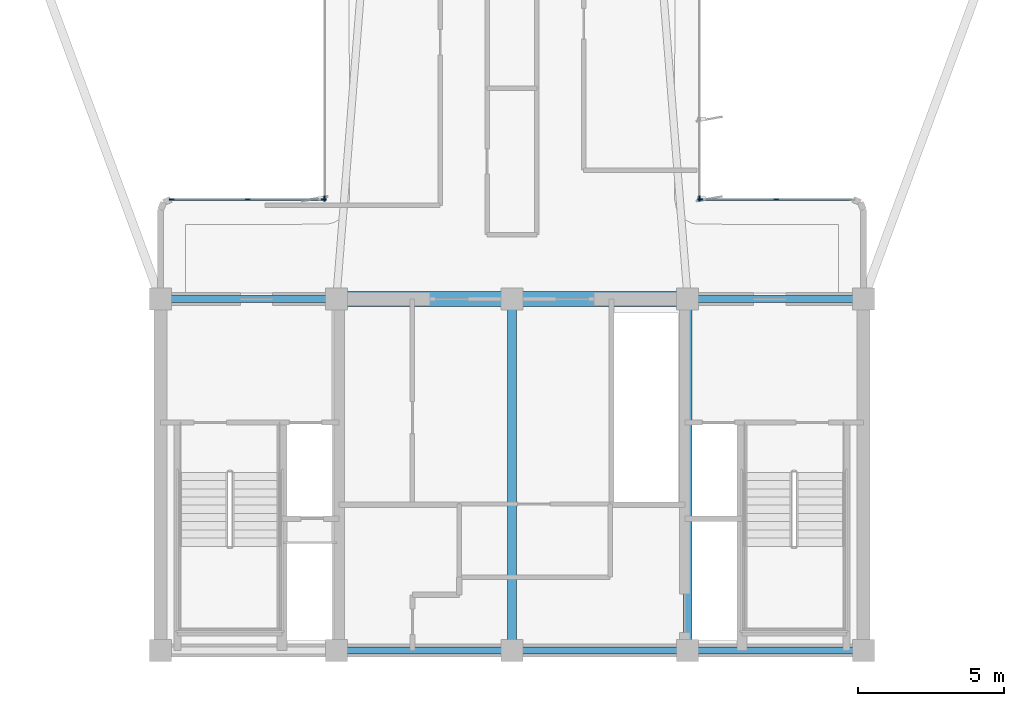
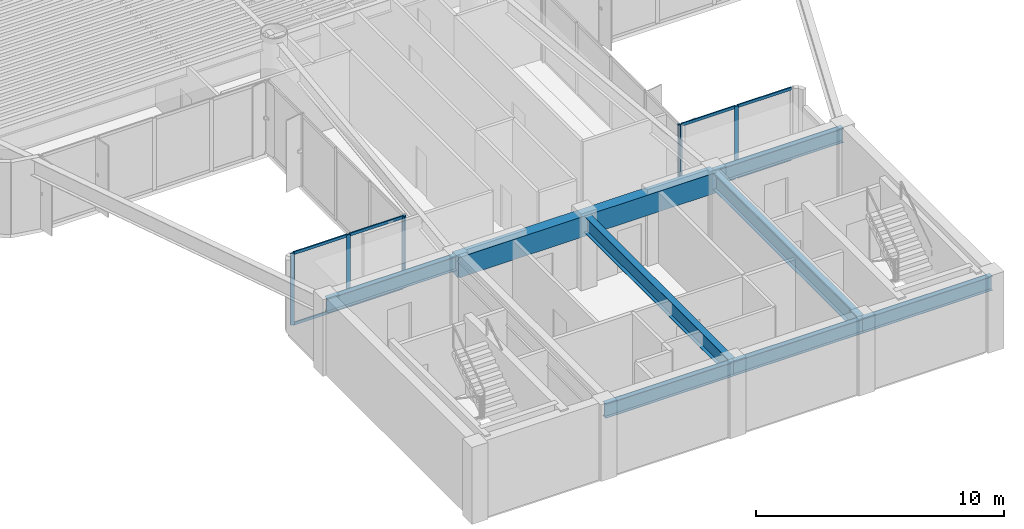
# One storey, part 2 of 14: 15 members, 8 beams, 4 elements without a shape of their own.
"""IFC4 building model written with IfcOpenShell, lengths in metres."""

from ifc_helpers import new_model, si_unit, direction, frame, origin, origin_2d, place, context, subcontext, project, spatial, rectangle, i_section, extrude, source, transform, mapped, material, layer, layer_set, material_profile, profile_set, type_object, element, aggregate, save


model = new_model("IFC4")

# Units and contexts
model_context = context("Model", 3, precision=1e-05, world=origin(), true_north=direction((0.0, 1.0)))
body_context = subcontext(model_context, "Body", "Model", "MODEL_VIEW")
ifc_project = project(units=[si_unit("LENGTHUNIT", "METRE"), si_unit("AREAUNIT", "SQUARE_METRE"), si_unit("VOLUMEUNIT", "CUBIC_METRE"), si_unit("PLANEANGLEUNIT", "RADIAN"), si_unit("MASSUNIT", "GRAM", prefix="KILO")], contexts=[model_context])

# Site, building, storey
site_placement = place(None, origin())
site = spatial("IfcSite", under=ifc_project, at=site_placement, CompositionType="ELEMENT")
building_placement = place(site_placement, origin())
building = spatial("IfcBuilding", under=site, at=building_placement, Name="Brelvock Crest Care Tower", CompositionType="ELEMENT")
storey_placement = place(building_placement, frame((0.0, 0.0, 198.0)))
storey = spatial("IfcBuildingStorey", under=building, at=storey_placement, Name="L50", CompositionType="ELEMENT", Elevation=198.0)

# Beams
ifc_material_1 = material(Name="Steel Grade 350", Category="steel")
ifc_material_profile_1 = material_profile(ifc_material_1, i_section(OverallWidth=0.25, OverallDepth=0.699951171875, WebThickness=0.011962890625, FlangeThickness=0.02001953125, at=origin_2d()), Name="700WB150")
ifc_profile_set_1 = profile_set([ifc_material_profile_1], Name="Steel Grade 350")
beam_type_1 = type_object("IfcBeamType", Name="BM-G4", PredefinedType="BEAM", material=ifc_profile_set_1)
shared_shape_1 = source(origin(), body_context, "Body", "SweptSolid", [
    extrude(i_section(OverallWidth=0.25, OverallDepth=0.699951171875, WebThickness=0.011962890625, FlangeThickness=0.02001953125, at=origin_2d()), origin(), (0.0, 0.0, 1.0), 6.0),
])
for number, where, z_axis, x_axis, name in (
    (1, (24.0, 18.0, 3.179931640625), (1.0, 0.0, 0.0), (0.0, 1.0, 0.0), "BM-COREN-L50-1"),
    (2, (30.0, 6.0, 3.179931640625), (1.0, 0.0, 0.0), (0.0, 1.0, 0.0), "BM-CORES-L50-2"),
    (3, (36.0, 6.0, 3.179931640625), (1.0, 0.0, 0.0), (0.0, 1.0, 0.0), "BM-CORES-L50-3"),
    (4, (42.0, 6.0, 3.179931640625), (1.0, 0.0, 0.0), (0.0, 1.0, 0.0), "BM-CORES-L50-4"),
    (5, (42.0, 18.0, 3.179931640625), (1.0, 0.0, 0.0), (0.0, 1.0, 0.0), "BM-COREN-L50-4"),
):
    element("IfcBeam", number, at=place(storey_placement, frame(where, z_axis=z_axis, x_axis=x_axis)), inside=storey, type_object=beam_type_1, Name=name, PredefinedType="BEAM", context=body_context, shape_type="MappedRepresentation", body=[
        mapped(shared_shape_1, transform((0.0, 0.0, 0.0), x_axis=(1.0, 0.0, 0.0), y_axis=(0.0, 1.0, 0.0), z_axis=(0.0, 0.0, 1.0), scale=1.0)),
    ])
ifc_material_profile_2 = material_profile(ifc_material_1, i_section(OverallWidth=0.300048828125, OverallDepth=0.800048828125, WebThickness=0.013916015625, FlangeThickness=0.02197265625, at=origin_2d()), Name="800WB192")
ifc_profile_set_2 = profile_set([ifc_material_profile_2], Name="Steel Grade 350")
beam_type_2 = type_object("IfcBeamType", Name="BM-G5", PredefinedType="BEAM", material=ifc_profile_set_2)
shared_shape_2 = source(origin(), body_context, "Body", "SweptSolid", [
    extrude(i_section(OverallWidth=0.300048828125, OverallDepth=0.800048828125, WebThickness=0.013916015625, FlangeThickness=0.02197265625, at=origin_2d()), origin(), (0.0, 0.0, 1.0), 12.0),
])
for number, where, z_axis, x_axis, name in (
    (6, (36.0, 6.0, 3.1298828125), (0.0, 1.0, 0.0), (-1.0, 0.0, 0.0), "BM-COREX-L50-3"),
    (7, (42.0, 6.0, 3.1298828125), (0.0, 1.0, 0.0), (-1.0, 0.0, 0.0), "BM-COREX-L50-4"),
):
    element("IfcBeam", number, at=place(storey_placement, frame(where, z_axis=z_axis, x_axis=x_axis)), inside=storey, type_object=beam_type_2, Name=name, PredefinedType="BEAM", context=body_context, shape_type="MappedRepresentation", body=[
        mapped(shared_shape_2, transform((0.0, 0.0, 0.0), x_axis=(1.0, 0.0, 0.0), y_axis=(0.0, 1.0, 0.0), z_axis=(0.0, 0.0, 1.0), scale=1.0)),
    ])
ifc_material_2 = material(Name="Concrete S65 (65 MPa)", Category="concrete")
ifc_material_profile_3 = material_profile(ifc_material_2, rectangle(XDim=0.5, YDim=1.0, at=origin_2d()), Name="RC500x1000")
ifc_profile_set_3 = profile_set([ifc_material_profile_3], Name="Concrete S65 (65 MPa)")
beam_type_3 = type_object("IfcBeamType", Name="BM-LN2", PredefinedType="LINTEL", material=ifc_profile_set_3)
shared_shape_3 = source(origin(), body_context, "Body", "SweptSolid", [
    extrude(rectangle(XDim=0.5, YDim=1.0, at=origin_2d()), origin(), (0.0, 0.0, 1.0), 12.0),
])
beam_placement = place(storey_placement, frame((30.0, 18.0, 3.030029296875), z_axis=(1.0, 0.0, 0.0), x_axis=(0.0, 1.0, 0.0)))
element("IfcBeam", 8, at=beam_placement, inside=storey, type_object=beam_type_3, Name="L50 Core Coupling Lintel Beam", PredefinedType="LINTEL", context=body_context, shape_type="MappedRepresentation", body=[
    mapped(shared_shape_3, transform((0.0, 0.0, 0.0), x_axis=(1.0, 0.0, 0.0), y_axis=(0.0, 1.0, 0.0), z_axis=(0.0, 0.0, 1.0), scale=1.0)),
])

# Curtain wall, members
ifc_material_3 = material(Name="Dark Glass Double Glazed Low-E", Category="glass")
ifc_layer = layer(ifc_material_3, 0.22509765625, Name="CWS-4")
ifc_layer_set = layer_set([ifc_layer], Name="Dark Glass Double Glazed Low-E")
curtain_wall_type = type_object("IfcCurtainWallType", Name="CWS-4", PredefinedType="NOTDEFINED", material=ifc_layer_set)
curtain_wall_1_placement = place(storey_placement, origin())
curtain_wall_1 = element("IfcCurtainWall", 9, at=curtain_wall_1_placement, inside=storey, type_object=curtain_wall_type, Name="L50 Curtain Wall E10", PredefinedType="NOTDEFINED")
ifc_material_4 = material(Name="Aluminium 6063-T6", Category="aluminium")
ifc_material_profile_4 = material_profile(ifc_material_4, rectangle(XDim=0.06005859375, YDim=0.179931640625, at=origin_2d()), Name="ALU60x180")
ifc_profile_set_4 = profile_set([ifc_material_profile_4], Name="Aluminium 6063-T6")
member_type_1 = type_object("IfcMemberType", Name="CWM-2", PredefinedType="MULLION", material=ifc_profile_set_4)
shared_shape_4 = source(origin(), body_context, "Body", "SweptSolid", [
    extrude(rectangle(XDim=0.06005859375, YDim=0.179931640625, at=origin_2d()), origin(), (0.0, 0.0, 1.0), 3.530029296875),
])
member_1_placement = place(storey_placement, frame((24.3798828125, 21.39990234375, 0.0), z_axis=(0.0, 0.0, 1.0), x_axis=(0.0, 1.0, 0.0)))
member_1 = element("IfcMember", 10, at=member_1_placement, type_object=member_type_1, Name="CW-4 mullion 1", PredefinedType="MULLION", context=body_context, shape_type="MappedRepresentation", body=[
    mapped(shared_shape_4, transform((0.0, 0.0, 0.0), x_axis=(1.0, 0.0, 0.0), y_axis=(0.0, 1.0, 0.0), z_axis=(0.0, 0.0, 1.0), scale=1.0)),
])
member_2_placement = place(storey_placement, frame((26.97509765625, 21.39990234375, 0.0), z_axis=(0.0, 0.0, 1.0), x_axis=(0.0, 1.0, 0.0)))
member_2 = element("IfcMember", 11, at=member_2_placement, type_object=member_type_1, Name="CW-4 mullion 2", PredefinedType="MULLION", context=body_context, shape_type="MappedRepresentation", body=[
    mapped(shared_shape_4, transform((0.0, 0.0, 0.0), x_axis=(1.0, 0.0, 0.0), y_axis=(0.0, 1.0, 0.0), z_axis=(0.0, 0.0, 1.0), scale=1.0)),
])
member_3_placement = place(storey_placement, frame((29.570068359375, 21.39990234375, 0.0), z_axis=(0.0, 0.0, 1.0), x_axis=(0.0, 1.0, 0.0)))
member_3 = element("IfcMember", 12, at=member_3_placement, type_object=member_type_1, Name="CW-4 mullion 3", PredefinedType="MULLION", context=body_context, shape_type="MappedRepresentation", body=[
    mapped(shared_shape_4, transform((0.0, 0.0, 0.0), x_axis=(1.0, 0.0, 0.0), y_axis=(0.0, 1.0, 0.0), z_axis=(0.0, 0.0, 1.0), scale=1.0)),
])

# Curtain wall, member
curtain_wall_2_placement = place(storey_placement, origin())
curtain_wall_2 = element("IfcCurtainWall", 13, at=curtain_wall_2_placement, inside=storey, type_object=curtain_wall_type, Name="L50 Curtain Wall E11", PredefinedType="NOTDEFINED")
member_4_placement = place(storey_placement, frame((29.60009765625, 21.429931640625, 0.0), z_axis=(0.0, 0.0, 1.0), x_axis=(-1.0, 0.0, 0.0)))
member_4 = element("IfcMember", 14, at=member_4_placement, type_object=member_type_1, Name="CW-4 mullion 1", PredefinedType="MULLION", context=body_context, shape_type="MappedRepresentation", body=[
    mapped(shared_shape_4, transform((0.0, 0.0, 0.0), x_axis=(1.0, 0.0, 0.0), y_axis=(0.0, 1.0, 0.0), z_axis=(0.0, 0.0, 1.0), scale=1.0)),
])
aggregate(curtain_wall_2, [member_4])

curtain_wall_3_placement = place(storey_placement, origin())
curtain_wall_3 = element("IfcCurtainWall", 15, at=curtain_wall_3_placement, inside=storey, type_object=curtain_wall_type, Name="L50 Curtain Wall E45", PredefinedType="NOTDEFINED")
member_5_placement = place(storey_placement, frame((42.39990234375, 21.429931640625, 0.0), z_axis=(0.0, 0.0, 1.0), x_axis=(1.0, 0.0, 0.0)))
member_5 = element("IfcMember", 16, at=member_5_placement, type_object=member_type_1, Name="CW-4 mullion 5", PredefinedType="MULLION", context=body_context, shape_type="MappedRepresentation", body=[
    mapped(shared_shape_4, transform((0.0, 0.0, 0.0), x_axis=(1.0, 0.0, 0.0), y_axis=(0.0, 1.0, 0.0), z_axis=(0.0, 0.0, 1.0), scale=1.0)),
])
aggregate(curtain_wall_3, [member_5])

# Curtain wall, members
curtain_wall_4_placement = place(storey_placement, origin())
curtain_wall_4 = element("IfcCurtainWall", 17, at=curtain_wall_4_placement, inside=storey, type_object=curtain_wall_type, Name="L50 Curtain Wall E46", PredefinedType="NOTDEFINED")
member_6_placement = place(storey_placement, frame((42.429931640625, 21.39990234375, 0.0), z_axis=(0.0, 0.0, 1.0), x_axis=(0.0, 1.0, 0.0)))
member_6 = element("IfcMember", 18, at=member_6_placement, type_object=member_type_1, Name="CW-4 mullion 1", PredefinedType="MULLION", context=body_context, shape_type="MappedRepresentation", body=[
    mapped(shared_shape_4, transform((0.0, 0.0, 0.0), x_axis=(1.0, 0.0, 0.0), y_axis=(0.0, 1.0, 0.0), z_axis=(0.0, 0.0, 1.0), scale=1.0)),
])
member_7_placement = place(storey_placement, frame((45.02490234375, 21.39990234375, 0.0), z_axis=(0.0, 0.0, 1.0), x_axis=(0.0, 1.0, 0.0)))
member_7 = element("IfcMember", 19, at=member_7_placement, type_object=member_type_1, Name="CW-4 mullion 2", PredefinedType="MULLION", context=body_context, shape_type="MappedRepresentation", body=[
    mapped(shared_shape_4, transform((0.0, 0.0, 0.0), x_axis=(1.0, 0.0, 0.0), y_axis=(0.0, 1.0, 0.0), z_axis=(0.0, 0.0, 1.0), scale=1.0)),
])

# Member
ifc_material_profile_5 = material_profile(ifc_material_4, rectangle(XDim=0.06005859375, YDim=0.139892578125, at=origin_2d()), Name="ALU60x140")
ifc_profile_set_5 = profile_set([ifc_material_profile_5], Name="Aluminium 6063-T6")
member_type_2 = type_object("IfcMemberType", Name="CWT-2", PredefinedType="USERDEFINED", material=ifc_profile_set_5)
shared_shape_5 = source(origin(), body_context, "Body", "SweptSolid", [
    extrude(rectangle(XDim=0.06005859375, YDim=0.139892578125, at=origin_2d()), origin(), (0.0, 0.0, 1.0), 2.53515625),
])
member_8_placement = place(storey_placement, frame((24.409912109375, 21.39990234375, 0.030029296875), z_axis=(1.0, 0.0, 0.0), x_axis=(0.0, 1.0, 0.0)))
member_8 = element("IfcMember", 20, at=member_8_placement, type_object=member_type_2, Name="CW-4 transom 1.1", ObjectType="TRANSOM", PredefinedType="USERDEFINED", context=body_context, shape_type="MappedRepresentation", body=[
    mapped(shared_shape_5, transform((0.0, 0.0, 0.0), x_axis=(1.0, 0.0, 0.0), y_axis=(0.0, 1.0, 0.0), z_axis=(0.0, 0.0, 1.0), scale=1.0)),
])

member_9_placement = place(storey_placement, frame((24.409912109375, 21.39990234375, 3.5), z_axis=(1.0, 0.0, 0.0), x_axis=(0.0, 1.0, 0.0)))
member_9 = element("IfcMember", 21, at=member_9_placement, type_object=member_type_2, Name="CW-4 transom 1.2", ObjectType="TRANSOM", PredefinedType="USERDEFINED", context=body_context, shape_type="MappedRepresentation", body=[
    mapped(shared_shape_5, transform((0.0, 0.0, 0.0), x_axis=(1.0, 0.0, 0.0), y_axis=(0.0, 1.0, 0.0), z_axis=(0.0, 0.0, 1.0), scale=1.0)),
])

member_10_placement = place(storey_placement, frame((27.0048828125, 21.39990234375, 0.030029296875), z_axis=(1.0, 0.0, 0.0), x_axis=(0.0, 1.0, 0.0)))
member_10 = element("IfcMember", 22, at=member_10_placement, type_object=member_type_2, Name="CW-4 transom 2.1", ObjectType="TRANSOM", PredefinedType="USERDEFINED", context=body_context, shape_type="MappedRepresentation", body=[
    mapped(shared_shape_5, transform((0.0, 0.0, 0.0), x_axis=(1.0, 0.0, 0.0), y_axis=(0.0, 1.0, 0.0), z_axis=(0.0, 0.0, 1.0), scale=1.0)),
])

member_11_placement = place(storey_placement, frame((27.0048828125, 21.39990234375, 3.5), z_axis=(1.0, 0.0, 0.0), x_axis=(0.0, 1.0, 0.0)))
member_11 = element("IfcMember", 23, at=member_11_placement, type_object=member_type_2, Name="CW-4 transom 2.2", ObjectType="TRANSOM", PredefinedType="USERDEFINED", context=body_context, shape_type="MappedRepresentation", body=[
    mapped(shared_shape_5, transform((0.0, 0.0, 0.0), x_axis=(1.0, 0.0, 0.0), y_axis=(0.0, 1.0, 0.0), z_axis=(0.0, 0.0, 1.0), scale=1.0)),
])

aggregate(curtain_wall_1, [member_1, member_2, member_3, member_8, member_9, member_10, member_11])

member_12_placement = place(storey_placement, frame((42.4599609375, 21.39990234375, 0.030029296875), z_axis=(1.0, 0.0, 0.0), x_axis=(0.0, 1.0, 0.0)))
member_12 = element("IfcMember", 24, at=member_12_placement, type_object=member_type_2, Name="CW-4 transom 1.1", ObjectType="TRANSOM", PredefinedType="USERDEFINED", context=body_context, shape_type="MappedRepresentation", body=[
    mapped(shared_shape_5, transform((0.0, 0.0, 0.0), x_axis=(1.0, 0.0, 0.0), y_axis=(0.0, 1.0, 0.0), z_axis=(0.0, 0.0, 1.0), scale=1.0)),
])

member_13_placement = place(storey_placement, frame((42.4599609375, 21.39990234375, 3.5), z_axis=(1.0, 0.0, 0.0), x_axis=(0.0, 1.0, 0.0)))
member_13 = element("IfcMember", 25, at=member_13_placement, type_object=member_type_2, Name="CW-4 transom 1.2", ObjectType="TRANSOM", PredefinedType="USERDEFINED", context=body_context, shape_type="MappedRepresentation", body=[
    mapped(shared_shape_5, transform((0.0, 0.0, 0.0), x_axis=(1.0, 0.0, 0.0), y_axis=(0.0, 1.0, 0.0), z_axis=(0.0, 0.0, 1.0), scale=1.0)),
])

member_14_placement = place(storey_placement, frame((45.054931640625, 21.39990234375, 0.030029296875), z_axis=(1.0, 0.0, 0.0), x_axis=(0.0, 1.0, 0.0)))
member_14 = element("IfcMember", 26, at=member_14_placement, type_object=member_type_2, Name="CW-4 transom 2.1", ObjectType="TRANSOM", PredefinedType="USERDEFINED", context=body_context, shape_type="MappedRepresentation", body=[
    mapped(shared_shape_5, transform((0.0, 0.0, 0.0), x_axis=(1.0, 0.0, 0.0), y_axis=(0.0, 1.0, 0.0), z_axis=(0.0, 0.0, 1.0), scale=1.0)),
])

member_15_placement = place(storey_placement, frame((45.054931640625, 21.39990234375, 3.5), z_axis=(1.0, 0.0, 0.0), x_axis=(0.0, 1.0, 0.0)))
member_15 = element("IfcMember", 27, at=member_15_placement, type_object=member_type_2, Name="CW-4 transom 2.2", ObjectType="TRANSOM", PredefinedType="USERDEFINED", context=body_context, shape_type="MappedRepresentation", body=[
    mapped(shared_shape_5, transform((0.0, 0.0, 0.0), x_axis=(1.0, 0.0, 0.0), y_axis=(0.0, 1.0, 0.0), z_axis=(0.0, 0.0, 1.0), scale=1.0)),
])

aggregate(curtain_wall_4, [member_6, member_7, member_12, member_13, member_14, member_15])

save(model, "model.ifc")
